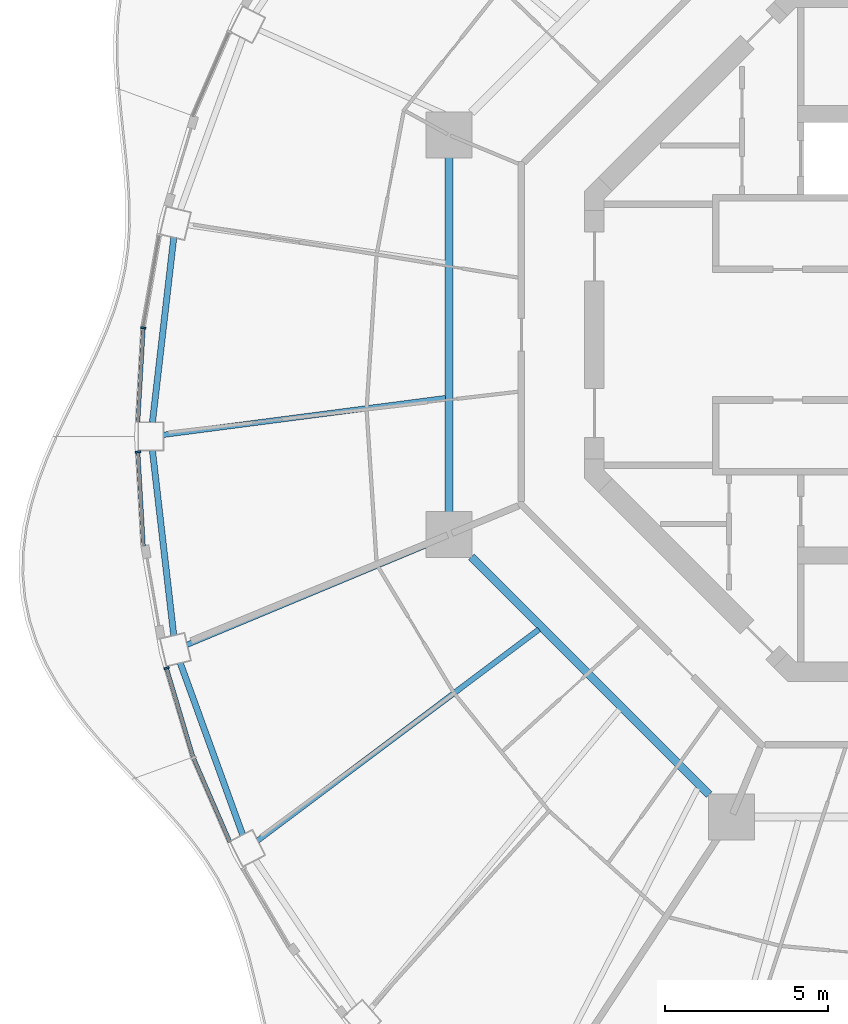
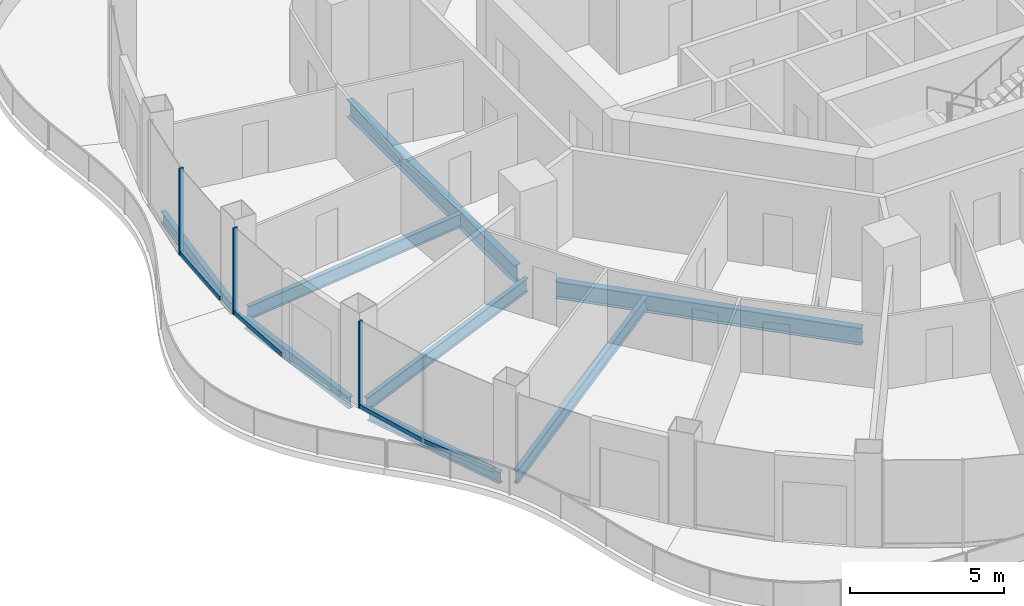
# One storey, part 3 of 17: 8 beams, 7 members, 4 elements without a shape of their own.
"""IFC4 building model written with IfcOpenShell, lengths in metres."""

import ifcopenshell
import ifcopenshell.guid

model = None  # the IFC model being written
_history = None  # IfcOwnerHistory: only IFC2X3 demands one
_inside = {}  # id of a spatial element -> (the spatial element, [elements in it])
_under = {}  # id of a project, library or spatial element -> (it, [spatial elements below it])
_declared = {}  # id of a project -> (the project, [libraries it declares])
_typed = {}  # id of a type object -> (the type object, [elements of that type])
_made_of = {}  # id of a material, layer set ... -> (it, [elements and type objects made of it])


def new_model(schema):
    """Start an empty IFC model of exactly this schema.

    Asked for "IFC4X3", IfcOpenShell would pick the latest addendum, in which some entities
    have other attributes; the version numbers below select the first issue.
    IFC2X3 requires an IfcOwnerHistory on every rooted entity: one is made here for all.
    """
    global model, _history
    if schema == "IFC4X3":
        model = ifcopenshell.file(schema_version=(4, 3, 0, 0))
    else:
        model = ifcopenshell.file(schema=schema)
    _inside.clear()
    _under.clear()
    _declared.clear()
    _typed.clear()
    _made_of.clear()
    _history = None
    if model.schema == "IFC2X3":
        org = make("IfcOrganization", Name="unknown")
        user = make(
            "IfcPersonAndOrganization",
            ThePerson=make("IfcPerson", FamilyName="unknown"),
            TheOrganization=org,
        )
        app = make(
            "IfcApplication",
            ApplicationDeveloper=org,
            Version="unknown",
            ApplicationFullName="unknown",
            ApplicationIdentifier="unknown",
        )
        _history = make(
            "IfcOwnerHistory",
            OwningUser=user,
            OwningApplication=app,
            ChangeAction="ADDED",
            CreationDate=0,
        )
    return model


def make(cls, **values):
    """One entity of the class cls with the attributes given. An attribute that is None is left unset."""
    return model.create_entity(
        cls, **{name: value for name, value in values.items() if value is not None}
    )


def rooted(cls, **values):
    """An entity with a GlobalId (a new one), such as an element, a storey or a relation."""
    return make(cls, GlobalId=ifcopenshell.guid.new(), OwnerHistory=_history, **values)


def si_unit(unit_type, name, prefix=None):
    """IfcSIUnit, for example si_unit("LENGTHUNIT", "METRE", prefix="MILLI")."""
    return make("IfcSIUnit", UnitType=unit_type, Prefix=prefix, Name=name)


def assignment(units):
    """IfcUnitAssignment: the units of a project."""
    return None if units is None else make("IfcUnitAssignment", Units=units)


def point(xyz):
    """IfcCartesianPoint."""
    return None if xyz is None else make("IfcCartesianPoint", Coordinates=xyz)


def direction(xyz):
    """IfcDirection."""
    return None if xyz is None else make("IfcDirection", DirectionRatios=xyz)


def frame(location, z_axis=None, x_axis=None):
    """IfcAxis2Placement3D, a coordinate frame: its origin and axes. An axis left out is left unset."""
    return make(
        "IfcAxis2Placement3D",
        Location=point(location),
        Axis=direction(z_axis),
        RefDirection=direction(x_axis),
    )


def frame_2d(location, x_axis=None):
    """IfcAxis2Placement2D, a coordinate frame in the plane: its origin and x axis."""
    return make(
        "IfcAxis2Placement2D", Location=point(location), RefDirection=direction(x_axis)
    )


def origin():
    """The frame at (0, 0, 0) with its axes left unset."""
    return frame((0.0, 0.0, 0.0))


def origin_2d():
    """The frame at (0, 0) in the plane with its x axis left unset."""
    return frame_2d((0.0, 0.0))


def place(relative_to, where):
    """IfcLocalPlacement: puts the frame where relative to a parent placement (None: the world)."""
    return make(
        "IfcLocalPlacement", PlacementRelTo=relative_to, RelativePlacement=where
    )


def context(
    kind, dimensions, precision=None, world=None, true_north=None, identifier=None
):
    """IfcGeometricRepresentationContext, for example the 3D "Model" context."""
    return make(
        "IfcGeometricRepresentationContext",
        ContextIdentifier=identifier,
        ContextType=kind,
        CoordinateSpaceDimension=dimensions,
        Precision=precision,
        WorldCoordinateSystem=world,
        TrueNorth=true_north,
    )


def subcontext(parent, identifier, kind, view, scale=None):
    """IfcGeometricRepresentationSubContext, for example "Body" below "Model"."""
    return make(
        "IfcGeometricRepresentationSubContext",
        ContextIdentifier=identifier,
        ContextType=kind,
        ParentContext=parent,
        TargetScale=scale,
        TargetView=view,
    )


def project(units=None, contexts=None):
    """IfcProject with its units and contexts."""
    return rooted(
        "IfcProject",
        Name="project",
        RepresentationContexts=contexts,
        UnitsInContext=assignment(units),
    )


def spatial(cls, under=None, at=None, **own):
    """A site, building, storey or space (cls), placed at a placement, below another one or the project."""
    s = rooted(cls, ObjectPlacement=at, **own)
    if under is not None:
        _under.setdefault(under.id(), (under, []))[1].append(s)
    return s


def profile(cls, at=None, kind="AREA", **sizes):
    """A parametric profile (cls). Its sizes go by their IFC names, for example OverallWidth=200.0."""
    return make(cls, ProfileType=kind, Position=at, **sizes)


def rectangle(**sizes):
    """IfcRectangleProfileDef."""
    return profile("IfcRectangleProfileDef", **sizes)


def i_section(**sizes):
    """IfcIShapeProfileDef."""
    return profile("IfcIShapeProfileDef", **sizes)


def extrude(swept, where, along, depth):
    """IfcExtrudedAreaSolid: the profile swept, set in the frame where, extruded along a direction by depth."""
    return make(
        "IfcExtrudedAreaSolid",
        SweptArea=swept,
        Position=where,
        ExtrudedDirection=direction(along),
        Depth=depth,
    )


def shape(context_of_items, identifier, shape_type, items):
    """IfcShapeRepresentation: the items that make up one representation, for example the "Body"."""
    return make(
        "IfcShapeRepresentation",
        ContextOfItems=context_of_items,
        RepresentationIdentifier=identifier,
        RepresentationType=shape_type,
        Items=items,
    )


def material(Name=None, Category=None):
    """IfcMaterial."""
    return make("IfcMaterial", Name=Name, Category=Category)


def layer(
    of_material, thickness, ventilated=None, Name=None, Category=None, Priority=None
):
    """IfcMaterialLayer: one layer of a wall or slab, of a material (None: an air gap)."""
    return make(
        "IfcMaterialLayer",
        Material=of_material,
        LayerThickness=thickness,
        IsVentilated=ventilated,
        Name=Name,
        Category=Category,
        Priority=Priority,
    )


def layer_set(layers, Name=None):
    """IfcMaterialLayerSet."""
    return make("IfcMaterialLayerSet", MaterialLayers=layers, LayerSetName=Name)


def material_profile(
    of_material, cross_section, Name=None, Category=None, Priority=None
):
    """IfcMaterialProfile: a cross section and its material."""
    return make(
        "IfcMaterialProfile",
        Name=Name,
        Material=of_material,
        Profile=cross_section,
        Priority=Priority,
        Category=Category,
    )


def profile_set(profiles, Name=None, composite=None):
    """IfcMaterialProfileSet."""
    return make(
        "IfcMaterialProfileSet",
        Name=Name,
        MaterialProfiles=profiles,
        CompositeProfile=composite,
    )


def made_of(thing, what):
    """Note that an element or type object is made of a material, layer set ...; save() writes the relation."""
    if what is not None:
        _made_of.setdefault(what.id(), (what, []))[1].append(thing)
    return thing


def type_object(cls, material=None, **own):
    """A type object (cls), such as IfcWallType, which elements share."""
    return made_of(rooted(cls, **own), material)


def element(
    cls,
    number,
    at=None,
    inside=None,
    cuts=None,
    type_object=None,
    material=None,
    context=None,
    identifier="Body",
    shape_type=None,
    held_by="IfcProductDefinitionShape",
    body=None,
    shapes=None,
    **own,
):
    """One element of the class cls, such as IfcWall. Its Tag is "e" and its number.

    at: its placement. inside: the storey or other place that contains it. cuts: it is an
    opening in that element (IfcRelVoidsElement). A single representation is given by context,
    identifier, shape_type and body (its items); several are given by shapes. held_by: the class
    of the entity that holds the representations. save() writes the other relations.
    """
    e = rooted(cls, Tag="e%d" % number, ObjectPlacement=at, **own)
    if body is not None:
        shapes = [shape(context, identifier, shape_type, body)]
    if shapes is not None:
        e.Representation = make(held_by, Representations=shapes)
    if inside is not None:
        _inside.setdefault(inside.id(), (inside, []))[1].append(e)
    if cuts is not None:
        rooted(
            "IfcRelVoidsElement", RelatingBuildingElement=cuts, RelatedOpeningElement=e
        )
    if type_object is not None:
        _typed.setdefault(type_object.id(), (type_object, []))[1].append(e)
    return made_of(e, material)


def aggregate(whole, parts):
    """IfcRelAggregates: a whole, such as a stair, and the parts it consists of."""
    return rooted("IfcRelAggregates", RelatingObject=whole, RelatedObjects=parts)


def save(model, path):
    """Write the relations noted so far, then the file.

    IfcRelAggregates (storeys below a building ...), IfcRelContainedInSpatialStructure (elements
    in a storey), IfcRelDefinesByType, IfcRelAssociatesMaterial and IfcRelDeclares: one each for
    every whole, place, type object, material and project.
    """
    for whole, parts in _under.values():
        aggregate(whole, parts)
    for where, things in _inside.values():
        rooted(
            "IfcRelContainedInSpatialStructure",
            RelatedElements=things,
            RelatingStructure=where,
        )
    for kind, things in _typed.values():
        rooted("IfcRelDefinesByType", RelatedObjects=things, RelatingType=kind)
    for what, things in _made_of.values():
        rooted("IfcRelAssociatesMaterial", RelatedObjects=things, RelatingMaterial=what)
    for by, libraries in _declared.values():
        rooted("IfcRelDeclares", RelatingContext=by, RelatedDefinitions=libraries)
    model.write(path)


model = new_model("IFC4")

# Units and contexts
model_context = context("Model", 3, precision=1e-05, world=origin(), true_north=direction((0.0, 1.0)))
body_context = subcontext(model_context, "Body", "Model", "MODEL_VIEW")
ifc_project = project(units=[si_unit("LENGTHUNIT", "METRE"), si_unit("AREAUNIT", "SQUARE_METRE"), si_unit("VOLUMEUNIT", "CUBIC_METRE"), si_unit("PLANEANGLEUNIT", "RADIAN"), si_unit("MASSUNIT", "GRAM", prefix="KILO")], contexts=[model_context])

# Site, building, storey
site_placement = place(None, origin())
site = spatial("IfcSite", under=ifc_project, at=site_placement, CompositionType="ELEMENT")
building_placement = place(site_placement, origin())
building = spatial("IfcBuilding", under=site, at=building_placement, Name="Nagisa Residences", CompositionType="ELEMENT")
storey_placement = place(building_placement, frame((0.0, 0.0, 280.699951171875)))
storey = spatial("IfcBuildingStorey", under=building, at=storey_placement, Name="L71", CompositionType="ELEMENT", Elevation=280.699951171875)

# Curtain wall, member
ifc_material_1 = material(Name="Concrete-coloured aluminium curtain wall system", Category="concrete")
ifc_layer = layer(ifc_material_1, 0.159912109375)
ifc_layer_set = layer_set([ifc_layer], Name="CW1 CURTAIN WALL")
curtain_wall_type = type_object("IfcCurtainWallType", Name="CW1 CURTAIN WALL", PredefinedType="NOTDEFINED", material=ifc_layer_set)
curtain_wall_1_placement = place(storey_placement, origin())
curtain_wall_1 = element("IfcCurtainWall", 1, at=curtain_wall_1_placement, inside=storey, type_object=curtain_wall_type, Name="cw:CW1:L71:23", PredefinedType="NOTDEFINED")
ifc_material_2 = material(Name="Concrete-coloured aluminium", Category="concrete")
ifc_material_profile_1 = material_profile(ifc_material_2, rectangle(XDim=0.159912109375, YDim=0.06005859375, at=origin_2d()), Name="CW1 MULLION 160x60")
ifc_profile_set_1 = profile_set([ifc_material_profile_1], Name="Concrete-coloured aluminium")
member_type_1 = type_object("IfcMemberType", Name="CW1 MULLION 160x60", PredefinedType="MULLION", material=ifc_profile_set_1)
member_1_placement = place(storey_placement, frame((-24.1484375, 0.20751953125, 0.0), z_axis=(0.0, 0.0, 1.0), x_axis=(0.998345305184, -0.057503492216, 0.0)))
member_1 = element("IfcMember", 2, at=member_1_placement, type_object=member_type_1, Name="CW1 mullion", PredefinedType="MULLION", context=body_context, shape_type="SweptSolid", body=[
    extrude(rectangle(XDim=0.159912109375, YDim=0.06005859375, at=origin_2d()), origin(), (0.0, 0.0, 1.0), 3.43994140625),
])

curtain_wall_2_placement = place(storey_placement, origin())
curtain_wall_2 = element("IfcCurtainWall", 3, at=curtain_wall_2_placement, inside=storey, type_object=curtain_wall_type, Name="cw:CW1:L71:24", PredefinedType="NOTDEFINED")
member_2_placement = place(storey_placement, frame((-24.3125, -3.59228515625, 0.0), z_axis=(0.0, 0.0, 1.0), x_axis=(0.998345305184, 0.057503492216, 0.0)))
member_2 = element("IfcMember", 4, at=member_2_placement, type_object=member_type_1, Name="CW1 mullion", PredefinedType="MULLION", context=body_context, shape_type="SweptSolid", body=[
    extrude(rectangle(XDim=0.159912109375, YDim=0.06005859375, at=origin_2d()), origin(), (0.0, 0.0, 1.0), 3.43994140625),
])

curtain_wall_3_placement = place(storey_placement, origin())
curtain_wall_3 = element("IfcCurtainWall", 5, at=curtain_wall_3_placement, inside=storey, type_object=curtain_wall_type, Name="cw:CW1:L71:26", PredefinedType="NOTDEFINED")
member_3_placement = place(storey_placement, frame((-23.435302734375, -10.216796875, 0.0), z_axis=(0.0, 0.0, 1.0), x_axis=(0.958271310082, 0.285860274038, 0.0)))
member_3 = element("IfcMember", 6, at=member_3_placement, type_object=member_type_1, Name="CW1 mullion", PredefinedType="MULLION", context=body_context, shape_type="SweptSolid", body=[
    extrude(rectangle(XDim=0.159912109375, YDim=0.06005859375, at=origin_2d()), origin(), (0.0, 0.0, 1.0), 3.43994140625),
])

# Member
ifc_material_3 = material(Name="Concrete-coloured aluminium", Category="concrete")
ifc_material_profile_2 = material_profile(ifc_material_3, rectangle(XDim=0.1201171875, YDim=0.14990234375, at=origin_2d()), Name="CW1 TRANSOM 120x150")
ifc_profile_set_2 = profile_set([ifc_material_profile_2], Name="Concrete-coloured aluminium")
member_type_2 = type_object("IfcMemberType", Name="CW1 TRANSOM 120x150", PredefinedType="USERDEFINED", material=ifc_profile_set_2)
member_4_placement = place(storey_placement, frame((-24.146728515625, 0.237548828125, 0.074951171875), z_axis=(-0.057445660401, -0.998348634547, 0.0), x_axis=(0.998348634547, -0.057445660401, 0.0)))
member_4 = element("IfcMember", 7, at=member_4_placement, type_object=member_type_2, Name="CW1 transom", ObjectType="TRANSOM", PredefinedType="USERDEFINED", context=body_context, shape_type="SweptSolid", body=[
    extrude(rectangle(XDim=0.1201171875, YDim=0.14990234375, at=origin_2d()), origin(), (0.0, 0.0, 1.0), 2.91552734375),
])

aggregate(curtain_wall_1, [member_1, member_4])

member_5_placement = place(storey_placement, frame((-24.314208984375, -3.562255859375, 0.074951171875), z_axis=(0.057445660401, -0.998348634547, 0.0), x_axis=(0.998348634547, 0.057445660401, 0.0)))
member_5 = element("IfcMember", 8, at=member_5_placement, type_object=member_type_2, Name="CW1 transom", ObjectType="TRANSOM", PredefinedType="USERDEFINED", context=body_context, shape_type="SweptSolid", body=[
    extrude(rectangle(XDim=0.1201171875, YDim=0.14990234375, at=origin_2d()), origin(), (0.0, 0.0, 1.0), 2.91552734375),
])

aggregate(curtain_wall_2, [member_2, member_5])

member_6_placement = place(storey_placement, frame((-23.44384765625, -10.18798828125, 0.074951171875), z_axis=(0.285798286059, -0.958289799427, 0.0), x_axis=(0.958289799427, 0.285798286059, 0.0)))
member_6 = element("IfcMember", 9, at=member_6_placement, type_object=member_type_2, Name="CW1 transom", ObjectType="TRANSOM", PredefinedType="USERDEFINED", context=body_context, shape_type="SweptSolid", body=[
    extrude(rectangle(XDim=0.1201171875, YDim=0.14990234375, at=origin_2d()), origin(), (0.0, 0.0, 1.0), 2.877197265625),
])

aggregate(curtain_wall_3, [member_3, member_6])

# Curtain wall, member
curtain_wall_4_placement = place(storey_placement, origin())
curtain_wall_4 = element("IfcCurtainWall", 10, at=curtain_wall_4_placement, inside=storey, type_object=curtain_wall_type, Name="cw:CW1:L71:27", PredefinedType="NOTDEFINED")
member_7_placement = place(storey_placement, frame((-22.624755859375, -12.93603515625, 0.074951171875), z_axis=(0.397597791596, -0.9175598052, 0.0), x_axis=(0.9175598052, 0.397597791596, 0.0)))
member_7 = element("IfcMember", 11, at=member_7_placement, type_object=member_type_2, Name="CW1 transom", ObjectType="TRANSOM", PredefinedType="USERDEFINED", context=body_context, shape_type="SweptSolid", body=[
    extrude(rectangle(XDim=0.1201171875, YDim=0.14990234375, at=origin_2d()), origin(), (0.0, 0.0, 1.0), 2.841064453125),
])
aggregate(curtain_wall_4, [member_7])

# Beams
ifc_material_4 = material(Name="Steel ASTM A572 Gr 50", Category="steel")
ifc_material_profile_3 = material_profile(ifc_material_4, i_section(OverallWidth=0.2529296875, OverallDepth=0.677978515625, WebThickness=0.01171875, FlangeThickness=0.016357421875, at=origin_2d()), Name="W690x125")
ifc_profile_set_3 = profile_set([ifc_material_profile_3], Name="Steel ASTM A572 Gr 50")
beam_type_1 = type_object("IfcBeamType", Name="Inner ring beam W690x125", PredefinedType="BEAM", material=ifc_profile_set_3)
beam_1_placement = place(storey_placement, frame((-14.781982421875, 5.44287109375, -0.598876953125), z_axis=(0.0, -1.0, 0.0), x_axis=(1.0, 0.0, 0.0)))
element("IfcBeam", 12, at=beam_1_placement, inside=storey, type_object=beam_type_1, Name="beam:L71:ib4", PredefinedType="BEAM", context=body_context, shape_type="SweptSolid", body=[
    extrude(i_section(OverallWidth=0.2529296875, OverallDepth=0.677978515625, WebThickness=0.01171875, FlangeThickness=0.016357421875, at=origin_2d()), origin(), (0.0, 0.0, 1.0), 10.8857421875),
])
beam_2_placement = place(storey_placement, frame((-14.09619140625, -6.808837890625, -0.598876953125), z_axis=(0.707106781187, -0.707106781187, 0.0), x_axis=(0.707106781187, 0.707106781187, 0.0)))
element("IfcBeam", 13, at=beam_2_placement, inside=storey, type_object=beam_type_1, Name="beam:L71:ib5", PredefinedType="BEAM", context=body_context, shape_type="SweptSolid", body=[
    extrude(i_section(OverallWidth=0.2529296875, OverallDepth=0.677978515625, WebThickness=0.01171875, FlangeThickness=0.016357421875, at=origin_2d()), origin(), (0.0, 0.0, 1.0), 10.305908203125),
])
ifc_material_5 = material(Name="Steel ASTM A572 Gr 50", Category="steel")
ifc_material_profile_4 = material_profile(ifc_material_5, i_section(OverallWidth=0.18994140625, OverallDepth=0.45703125, WebThickness=0.009033203125, FlangeThickness=0.014404296875, at=origin_2d()), Name="W460x74")
ifc_profile_set_4 = profile_set([ifc_material_profile_4], Name="Steel ASTM A572 Gr 50")
beam_type_2 = type_object("IfcBeamType", Name="Perimeter ring beam W460x74", PredefinedType="BEAM", material=ifc_profile_set_4)
for number, where, z_axis, x_axis, name in (
    (14, (-23.2158203125, 2.984619140625, -0.488525390625), (-0.114635468623, -0.993407624962, 0.0), (0.993407624962, -0.114635468623, 0.0), "beam:L71:pb12"),
    (15, (-23.870361328125, -3.5478515625, -0.488525390625), (0.114635468623, -0.993407624962, 0.0), (0.993407624962, 0.114635468623, 0.0), "beam:L71:pb13"),
):
    element("IfcBeam", number, at=place(storey_placement, frame(where, z_axis=z_axis, x_axis=x_axis)), inside=storey, type_object=beam_type_2, Name=name, PredefinedType="BEAM", context=body_context, shape_type="SweptSolid", body=[
        extrude(i_section(OverallWidth=0.18994140625, OverallDepth=0.45703125, WebThickness=0.009033203125, FlangeThickness=0.014404296875, at=origin_2d()), origin(), (0.0, 0.0, 1.0), 5.709716796875),
    ])
beam_3_placement = place(storey_placement, frame((-23.0185546875, -10.057373046875, -0.488525390625), z_axis=(0.341250304478, -0.9399724622, 0.0), x_axis=(0.9399724622, 0.341250304478, 0.0)))
element("IfcBeam", 16, at=beam_3_placement, inside=storey, type_object=beam_type_2, Name="beam:L71:pb14", PredefinedType="BEAM", context=body_context, shape_type="SweptSolid", body=[
    extrude(i_section(OverallWidth=0.18994140625, OverallDepth=0.45703125, WebThickness=0.009033203125, FlangeThickness=0.014404296875, at=origin_2d()), origin(), (0.0, 0.0, 1.0), 5.609619140625),
])
ifc_material_6 = material(Name="Steel ASTM A572 Gr 50", Category="steel")
ifc_material_profile_5 = material_profile(ifc_material_6, i_section(OverallWidth=0.166015625, OverallDepth=0.534912109375, WebThickness=0.01025390625, FlangeThickness=0.0166015625, at=origin_2d()), Name="W530x85")
ifc_profile_set_5 = profile_set([ifc_material_profile_5], Name="Steel ASTM A572 Gr 50")
beam_type_3 = type_object("IfcBeamType", Name="Radial beam W530x85", PredefinedType="BEAM", material=ifc_profile_set_5)
beam_4_placement = place(storey_placement, frame((-23.539794921875, -3.068115234375, -0.52734375), z_axis=(0.991614605292, 0.129230315994, 0.0), x_axis=(-0.129230315994, 0.991614605292, 0.0)))
element("IfcBeam", 17, at=beam_4_placement, inside=storey, type_object=beam_type_3, Name="beam:L71:rb13", PredefinedType="BEAM", context=body_context, shape_type="SweptSolid", body=[
    extrude(i_section(OverallWidth=0.166015625, OverallDepth=0.534912109375, WebThickness=0.01025390625, FlangeThickness=0.0166015625, at=origin_2d()), origin(), (0.0, 0.0, 1.0), 8.724365234375),
])
beam_5_placement = place(storey_placement, frame((-22.810546875, -9.502197265625, -0.52734375), z_axis=(0.92310713136, 0.384542876716, 0.0), x_axis=(-0.384542876716, 0.92310713136, 0.0)))
element("IfcBeam", 18, at=beam_5_placement, inside=storey, type_object=beam_type_3, Name="beam:L71:rb14", PredefinedType="BEAM", context=body_context, shape_type="SweptSolid", body=[
    extrude(i_section(OverallWidth=0.166015625, OverallDepth=0.534912109375, WebThickness=0.01025390625, FlangeThickness=0.0166015625, at=origin_2d()), origin(), (0.0, 0.0, 1.0), 8.607177734375),
])
beam_6_placement = place(storey_placement, frame((-20.647705078125, -15.505859375, -0.52734375), z_axis=(0.799616749037, 0.600510661571, 0.0), x_axis=(-0.600510661571, 0.799616749037, 0.0)))
element("IfcBeam", 19, at=beam_6_placement, inside=storey, type_object=beam_type_3, Name="beam:L71:rb15", PredefinedType="BEAM", context=body_context, shape_type="SweptSolid", body=[
    extrude(i_section(OverallWidth=0.166015625, OverallDepth=0.534912109375, WebThickness=0.01025390625, FlangeThickness=0.0166015625, at=origin_2d()), origin(), (0.0, 0.0, 1.0), 10.782958984375),
])

save(model, "model.ifc")
